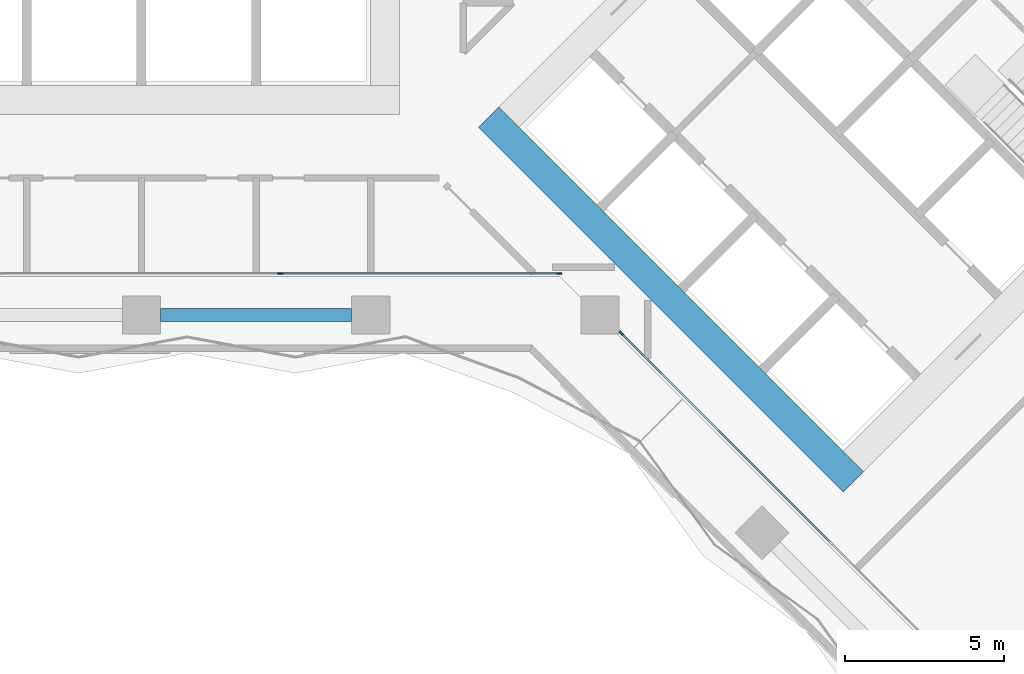
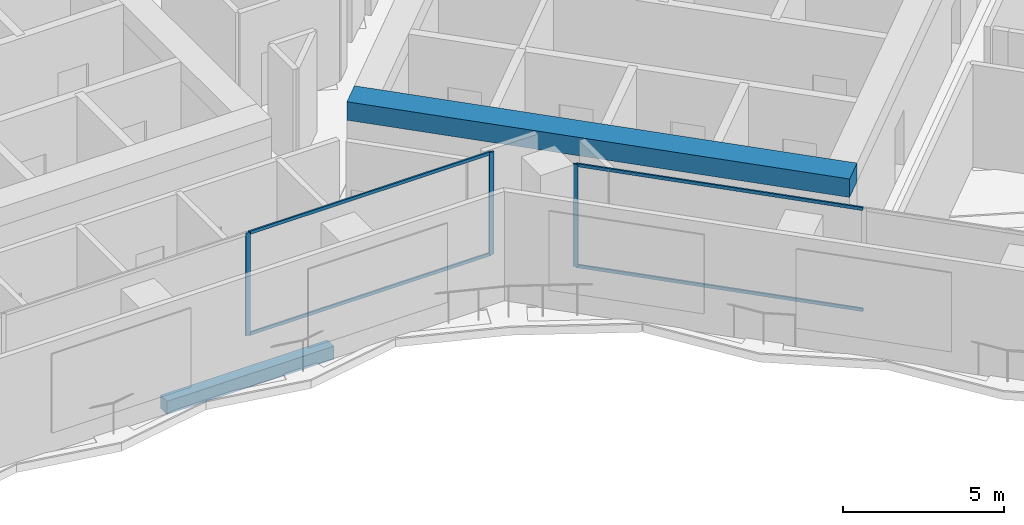
# One storey, part 3 of 24: 7 members, 2 beams, 2 elements without a shape of their own.
"""IFC4 building model written with IfcOpenShell, lengths in metres."""

from ifc_helpers import new_model, si_unit, direction, frame, origin, origin_2d, place, context, subcontext, project, spatial, rectangle, extrude, material, material_profile, profile_set, type_object, element, aggregate, save


model = new_model("IFC4")

# Units and contexts
model_context = context("Model", 3, precision=1e-05, world=origin(), true_north=direction((0.0, 1.0)))
body_context = subcontext(model_context, "Body", "Model", "MODEL_VIEW")
ifc_project = project(units=[si_unit("LENGTHUNIT", "METRE"), si_unit("AREAUNIT", "SQUARE_METRE"), si_unit("VOLUMEUNIT", "CUBIC_METRE"), si_unit("PLANEANGLEUNIT", "RADIAN"), si_unit("MASSUNIT", "GRAM", prefix="KILO")], contexts=[model_context])

# Site, building, storey
site_placement = place(None, origin())
site = spatial("IfcSite", under=ifc_project, at=site_placement, CompositionType="ELEMENT")
building_placement = place(site_placement, origin())
building = spatial("IfcBuilding", under=site, at=building_placement, Name="Windrow Commons", CompositionType="ELEMENT")
storey_placement = place(building_placement, frame((0.0, 0.0, 67.8)))
storey = spatial("IfcBuildingStorey", under=building, at=storey_placement, Name="L18", CompositionType="ELEMENT", Elevation=67.8)

# Curtain wall, members
ifc_material_1 = material(Name="Clear laminated glass in Aluminium 6063-T6 anodised frame", Category="aluminium")
curtain_wall_type = type_object("IfcCurtainWallType", Name="Curtain wall CW2 sky lounge", PredefinedType="USERDEFINED", material=ifc_material_1)
placement = place(storey_placement, origin())
curtain_wall_1 = element("IfcCurtainWall", 1, at=placement, inside=storey, type_object=curtain_wall_type, Name="Curtain wall CW2 L18 12", ObjectType="UNITISED", PredefinedType="USERDEFINED")
ifc_material_2 = material(Name="Aluminium 6063-T6", Category="aluminium")
ifc_material_profile_1 = material_profile(ifc_material_2, rectangle(XDim=0.06, YDim=0.16, at=origin_2d()))
ifc_profile_set_1 = profile_set([ifc_material_profile_1], Name="Aluminium 6063-T6")
member_type_1 = type_object("IfcMemberType", Name="CW2 mullion 60x160", PredefinedType="MULLION", material=ifc_profile_set_1)
member_1_placement = place(storey_placement, frame((69.1667, 44.5, 0.0), z_axis=(0.0, 0.0, 1.0), x_axis=(0.0, 1.0, 0.0)))
member_1 = element("IfcMember", 2, at=member_1_placement, type_object=member_type_1, Name="CW2 mullion 3", PredefinedType="MULLION", context=body_context, shape_type="SweptSolid", body=[
    extrude(rectangle(XDim=0.06, YDim=0.16, at=origin_2d()), origin(), (0.0, 0.0, 1.0), 3.9),
])
member_2_placement = place(storey_placement, frame((77.92, 44.5, 0.0), z_axis=(0.0, 0.0, 1.0), x_axis=(0.0, 1.0, 0.0)))
member_2 = element("IfcMember", 3, at=member_2_placement, type_object=member_type_1, Name="CW2 mullion 4", PredefinedType="MULLION", context=body_context, shape_type="SweptSolid", body=[
    extrude(rectangle(XDim=0.06, YDim=0.16, at=origin_2d()), origin(), (0.0, 0.0, 1.0), 3.9),
])

# Curtain wall, member
curtain_wall_2 = element("IfcCurtainWall", 4, at=placement, inside=storey, type_object=curtain_wall_type, Name="Curtain wall CW2 L18 13", ObjectType="UNITISED", PredefinedType="USERDEFINED")
member_3_placement = place(storey_placement, frame((79.8669, 42.6245, 0.0), z_axis=(0.0, 0.0, 1.0), x_axis=(0.7071051455, 0.7071084169, 0.0)))
member_3 = element("IfcMember", 5, at=member_3_placement, type_object=member_type_1, Name="CW2 mullion 1", PredefinedType="MULLION", context=body_context, shape_type="SweptSolid", body=[
    extrude(rectangle(XDim=0.06, YDim=0.16, at=origin_2d()), origin(), (0.0, 0.0, 1.0), 3.9),
])

# Member
ifc_material_3 = material(Name="Aluminium 6063-T6", Category="aluminium")
ifc_material_profile_2 = material_profile(ifc_material_3, rectangle(XDim=0.06, YDim=0.12, at=origin_2d()))
ifc_profile_set_2 = profile_set([ifc_material_profile_2], Name="Aluminium 6063-T6")
member_type_2 = type_object("IfcMemberType", Name="CW2 transom 60x120", PredefinedType="USERDEFINED", material=ifc_profile_set_2)
member_4_placement = place(storey_placement, frame((69.1967, 44.5, 0.03), z_axis=(1.0, 0.0, 0.0), x_axis=(0.0, 1.0, 0.0)))
member_4 = element("IfcMember", 6, at=member_4_placement, type_object=member_type_2, Name="CW2 transom 3.1", ObjectType="TRANSOM", PredefinedType="USERDEFINED", context=body_context, shape_type="SweptSolid", body=[
    extrude(rectangle(XDim=0.06, YDim=0.12, at=origin_2d()), origin(), (0.0, 0.0, 1.0), 8.6933),
])

member_5_placement = place(storey_placement, frame((69.1967, 44.5, 3.87), z_axis=(1.0, 0.0, 0.0), x_axis=(0.0, 1.0, 0.0)))
member_5 = element("IfcMember", 7, at=member_5_placement, type_object=member_type_2, Name="CW2 transom 3.2", ObjectType="TRANSOM", PredefinedType="USERDEFINED", context=body_context, shape_type="SweptSolid", body=[
    extrude(rectangle(XDim=0.06, YDim=0.12, at=origin_2d()), origin(), (0.0, 0.0, 1.0), 8.6933),
])

aggregate(curtain_wall_1, [member_1, member_2, member_4, member_5])

member_6_placement = place(storey_placement, frame((79.8881, 42.6033, 0.03), z_axis=(0.707112193, -0.7071013693, 0.0), x_axis=(0.7071013693, 0.707112193, 0.0)))
member_6 = element("IfcMember", 8, at=member_6_placement, type_object=member_type_2, Name="CW2 transom 1.1", ObjectType="TRANSOM", PredefinedType="USERDEFINED", context=body_context, shape_type="SweptSolid", body=[
    extrude(rectangle(XDim=0.06, YDim=0.12, at=origin_2d()), origin(), (0.0, 0.0, 1.0), 9.239),
])

member_7_placement = place(storey_placement, frame((79.8881, 42.6033, 3.87), z_axis=(0.707112193, -0.7071013693, 0.0), x_axis=(0.7071013693, 0.707112193, 0.0)))
member_7 = element("IfcMember", 9, at=member_7_placement, type_object=member_type_2, Name="CW2 transom 1.2", ObjectType="TRANSOM", PredefinedType="USERDEFINED", context=body_context, shape_type="SweptSolid", body=[
    extrude(rectangle(XDim=0.06, YDim=0.12, at=origin_2d()), origin(), (0.0, 0.0, 1.0), 9.239),
])

aggregate(curtain_wall_2, [member_3, member_6, member_7])

# Beams
ifc_material_4 = material(Name="Concrete C60/75", Category="concrete")
ifc_material_profile_3 = material_profile(ifc_material_4, rectangle(XDim=0.9, YDim=0.7, at=origin_2d()))
ifc_profile_set_3 = profile_set([ifc_material_profile_3], Name="Concrete C60/75")
beam_type_1 = type_object("IfcBeamType", Name="RC COUPLING BEAM 900x700 C60/75", PredefinedType="LINTEL", material=ifc_profile_set_3)
beam_1_placement = place(storey_placement, frame((75.6998, 49.4079, 3.55), z_axis=(0.7071098676, -0.7071036948, 0.0), x_axis=(0.7071036948, 0.7071098676, 0.0)))
element("IfcBeam", 10, at=beam_1_placement, inside=storey, type_object=beam_type_1, Name="Core B coupling beam outer-S", PredefinedType="LINTEL", context=body_context, shape_type="SweptSolid", body=[
    extrude(rectangle(XDim=0.9, YDim=0.7, at=origin_2d()), origin(), (0.0, 0.0, 1.0), 16.2),
])
ifc_material_5 = material(Name="Concrete C60/75", Category="concrete")
ifc_material_profile_4 = material_profile(ifc_material_5, rectangle(XDim=0.4, YDim=0.5, at=origin_2d()))
ifc_profile_set_4 = profile_set([ifc_material_profile_4], Name="Concrete C60/75")
beam_type_2 = type_object("IfcBeamType", Name="RC EDGE BEAM 400x500 C60/75", PredefinedType="SPANDREL", material=ifc_profile_set_4)
beam_2_placement = place(storey_placement, frame((71.4, 43.2, -0.55), z_axis=(-1.0, 0.0, 0.0), x_axis=(0.0, -1.0, 0.0)))
element("IfcBeam", 11, at=beam_2_placement, inside=storey, type_object=beam_type_2, Name="Edge beam L18 025", PredefinedType="SPANDREL", context=body_context, shape_type="SweptSolid", body=[
    extrude(rectangle(XDim=0.4, YDim=0.5, at=origin_2d()), origin(), (0.0, 0.0, 1.0), 6.0),
])

save(model, "model.ifc")
